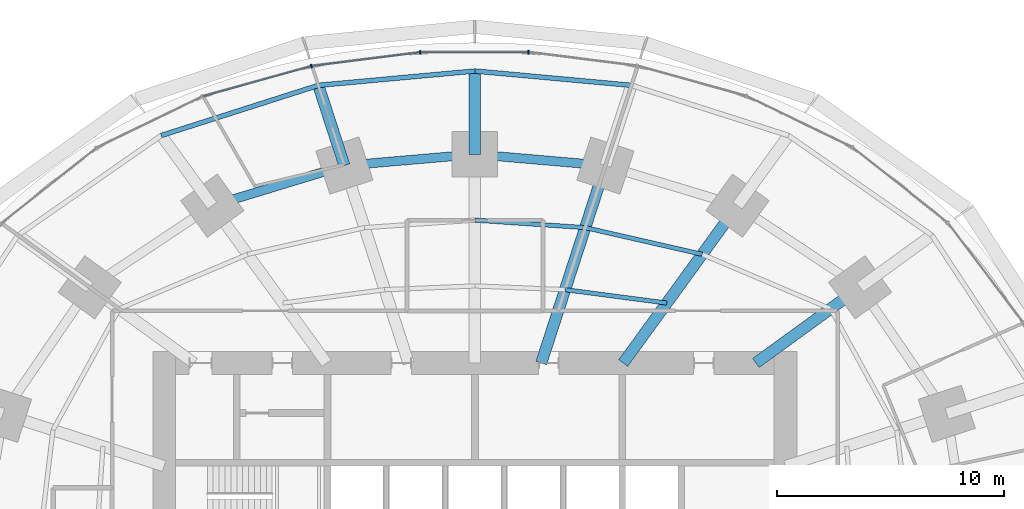
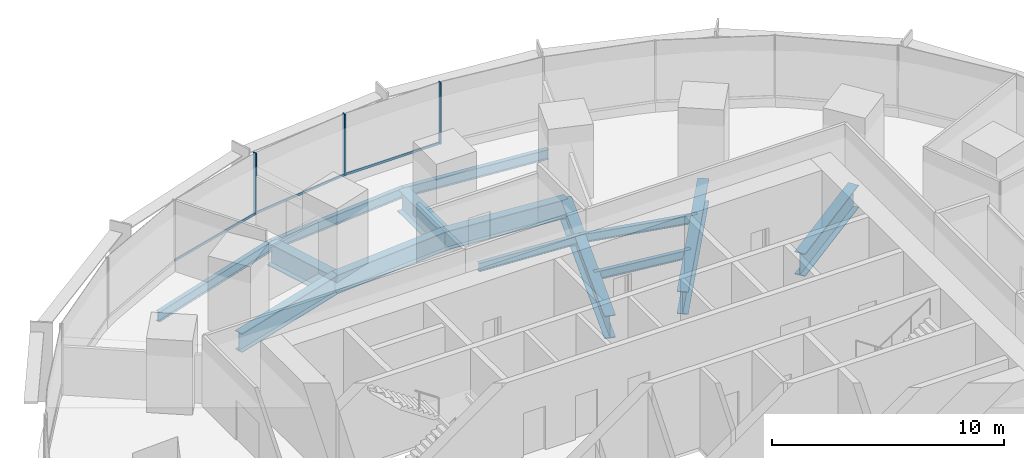
# One storey, part 8 of 15: 14 beams, 6 members, 1 element without a shape of its own.
"""IFC4 building model written with IfcOpenShell, lengths in metres."""

import ifcopenshell
import ifcopenshell.guid

model = None  # the IFC model being written
_history = None  # IfcOwnerHistory: only IFC2X3 demands one
_inside = {}  # id of a spatial element -> (the spatial element, [elements in it])
_under = {}  # id of a project, library or spatial element -> (it, [spatial elements below it])
_declared = {}  # id of a project -> (the project, [libraries it declares])
_typed = {}  # id of a type object -> (the type object, [elements of that type])
_made_of = {}  # id of a material, layer set ... -> (it, [elements and type objects made of it])


def new_model(schema):
    """Start an empty IFC model of exactly this schema.

    Asked for "IFC4X3", IfcOpenShell would pick the latest addendum, in which some entities
    have other attributes; the version numbers below select the first issue.
    IFC2X3 requires an IfcOwnerHistory on every rooted entity: one is made here for all.
    """
    global model, _history
    if schema == "IFC4X3":
        model = ifcopenshell.file(schema_version=(4, 3, 0, 0))
    else:
        model = ifcopenshell.file(schema=schema)
    _inside.clear()
    _under.clear()
    _declared.clear()
    _typed.clear()
    _made_of.clear()
    _history = None
    if model.schema == "IFC2X3":
        org = make("IfcOrganization", Name="unknown")
        user = make(
            "IfcPersonAndOrganization",
            ThePerson=make("IfcPerson", FamilyName="unknown"),
            TheOrganization=org,
        )
        app = make(
            "IfcApplication",
            ApplicationDeveloper=org,
            Version="unknown",
            ApplicationFullName="unknown",
            ApplicationIdentifier="unknown",
        )
        _history = make(
            "IfcOwnerHistory",
            OwningUser=user,
            OwningApplication=app,
            ChangeAction="ADDED",
            CreationDate=0,
        )
    return model


def make(cls, **values):
    """One entity of the class cls with the attributes given. An attribute that is None is left unset."""
    return model.create_entity(
        cls, **{name: value for name, value in values.items() if value is not None}
    )


def rooted(cls, **values):
    """An entity with a GlobalId (a new one), such as an element, a storey or a relation."""
    return make(cls, GlobalId=ifcopenshell.guid.new(), OwnerHistory=_history, **values)


def si_unit(unit_type, name, prefix=None):
    """IfcSIUnit, for example si_unit("LENGTHUNIT", "METRE", prefix="MILLI")."""
    return make("IfcSIUnit", UnitType=unit_type, Prefix=prefix, Name=name)


def assignment(units):
    """IfcUnitAssignment: the units of a project."""
    return None if units is None else make("IfcUnitAssignment", Units=units)


def point(xyz):
    """IfcCartesianPoint."""
    return None if xyz is None else make("IfcCartesianPoint", Coordinates=xyz)


def direction(xyz):
    """IfcDirection."""
    return None if xyz is None else make("IfcDirection", DirectionRatios=xyz)


def frame(location, z_axis=None, x_axis=None):
    """IfcAxis2Placement3D, a coordinate frame: its origin and axes. An axis left out is left unset."""
    return make(
        "IfcAxis2Placement3D",
        Location=point(location),
        Axis=direction(z_axis),
        RefDirection=direction(x_axis),
    )


def frame_2d(location, x_axis=None):
    """IfcAxis2Placement2D, a coordinate frame in the plane: its origin and x axis."""
    return make(
        "IfcAxis2Placement2D", Location=point(location), RefDirection=direction(x_axis)
    )


def origin():
    """The frame at (0, 0, 0) with its axes left unset."""
    return frame((0.0, 0.0, 0.0))


def origin_2d():
    """The frame at (0, 0) in the plane with its x axis left unset."""
    return frame_2d((0.0, 0.0))


def place(relative_to, where):
    """IfcLocalPlacement: puts the frame where relative to a parent placement (None: the world)."""
    return make(
        "IfcLocalPlacement", PlacementRelTo=relative_to, RelativePlacement=where
    )


def context(
    kind, dimensions, precision=None, world=None, true_north=None, identifier=None
):
    """IfcGeometricRepresentationContext, for example the 3D "Model" context."""
    return make(
        "IfcGeometricRepresentationContext",
        ContextIdentifier=identifier,
        ContextType=kind,
        CoordinateSpaceDimension=dimensions,
        Precision=precision,
        WorldCoordinateSystem=world,
        TrueNorth=true_north,
    )


def subcontext(parent, identifier, kind, view, scale=None):
    """IfcGeometricRepresentationSubContext, for example "Body" below "Model"."""
    return make(
        "IfcGeometricRepresentationSubContext",
        ContextIdentifier=identifier,
        ContextType=kind,
        ParentContext=parent,
        TargetScale=scale,
        TargetView=view,
    )


def project(units=None, contexts=None):
    """IfcProject with its units and contexts."""
    return rooted(
        "IfcProject",
        Name="project",
        RepresentationContexts=contexts,
        UnitsInContext=assignment(units),
    )


def spatial(cls, under=None, at=None, **own):
    """A site, building, storey or space (cls), placed at a placement, below another one or the project."""
    s = rooted(cls, ObjectPlacement=at, **own)
    if under is not None:
        _under.setdefault(under.id(), (under, []))[1].append(s)
    return s


def profile(cls, at=None, kind="AREA", **sizes):
    """A parametric profile (cls). Its sizes go by their IFC names, for example OverallWidth=200.0."""
    return make(cls, ProfileType=kind, Position=at, **sizes)


def rectangle(**sizes):
    """IfcRectangleProfileDef."""
    return profile("IfcRectangleProfileDef", **sizes)


def i_section(**sizes):
    """IfcIShapeProfileDef."""
    return profile("IfcIShapeProfileDef", **sizes)


def extrude(swept, where, along, depth):
    """IfcExtrudedAreaSolid: the profile swept, set in the frame where, extruded along a direction by depth."""
    return make(
        "IfcExtrudedAreaSolid",
        SweptArea=swept,
        Position=where,
        ExtrudedDirection=direction(along),
        Depth=depth,
    )


def shape(context_of_items, identifier, shape_type, items):
    """IfcShapeRepresentation: the items that make up one representation, for example the "Body"."""
    return make(
        "IfcShapeRepresentation",
        ContextOfItems=context_of_items,
        RepresentationIdentifier=identifier,
        RepresentationType=shape_type,
        Items=items,
    )


def material(Name=None, Category=None):
    """IfcMaterial."""
    return make("IfcMaterial", Name=Name, Category=Category)


def material_profile(
    of_material, cross_section, Name=None, Category=None, Priority=None
):
    """IfcMaterialProfile: a cross section and its material."""
    return make(
        "IfcMaterialProfile",
        Name=Name,
        Material=of_material,
        Profile=cross_section,
        Priority=Priority,
        Category=Category,
    )


def profile_set(profiles, Name=None, composite=None):
    """IfcMaterialProfileSet."""
    return make(
        "IfcMaterialProfileSet",
        Name=Name,
        MaterialProfiles=profiles,
        CompositeProfile=composite,
    )


def made_of(thing, what):
    """Note that an element or type object is made of a material, layer set ...; save() writes the relation."""
    if what is not None:
        _made_of.setdefault(what.id(), (what, []))[1].append(thing)
    return thing


def type_object(cls, material=None, **own):
    """A type object (cls), such as IfcWallType, which elements share."""
    return made_of(rooted(cls, **own), material)


def element(
    cls,
    number,
    at=None,
    inside=None,
    cuts=None,
    type_object=None,
    material=None,
    context=None,
    identifier="Body",
    shape_type=None,
    held_by="IfcProductDefinitionShape",
    body=None,
    shapes=None,
    **own,
):
    """One element of the class cls, such as IfcWall. Its Tag is "e" and its number.

    at: its placement. inside: the storey or other place that contains it. cuts: it is an
    opening in that element (IfcRelVoidsElement). A single representation is given by context,
    identifier, shape_type and body (its items); several are given by shapes. held_by: the class
    of the entity that holds the representations. save() writes the other relations.
    """
    e = rooted(cls, Tag="e%d" % number, ObjectPlacement=at, **own)
    if body is not None:
        shapes = [shape(context, identifier, shape_type, body)]
    if shapes is not None:
        e.Representation = make(held_by, Representations=shapes)
    if inside is not None:
        _inside.setdefault(inside.id(), (inside, []))[1].append(e)
    if cuts is not None:
        rooted(
            "IfcRelVoidsElement", RelatingBuildingElement=cuts, RelatedOpeningElement=e
        )
    if type_object is not None:
        _typed.setdefault(type_object.id(), (type_object, []))[1].append(e)
    return made_of(e, material)


def aggregate(whole, parts):
    """IfcRelAggregates: a whole, such as a stair, and the parts it consists of."""
    return rooted("IfcRelAggregates", RelatingObject=whole, RelatedObjects=parts)


def save(model, path):
    """Write the relations noted so far, then the file.

    IfcRelAggregates (storeys below a building ...), IfcRelContainedInSpatialStructure (elements
    in a storey), IfcRelDefinesByType, IfcRelAssociatesMaterial and IfcRelDeclares: one each for
    every whole, place, type object, material and project.
    """
    for whole, parts in _under.values():
        aggregate(whole, parts)
    for where, things in _inside.values():
        rooted(
            "IfcRelContainedInSpatialStructure",
            RelatedElements=things,
            RelatingStructure=where,
        )
    for kind, things in _typed.values():
        rooted("IfcRelDefinesByType", RelatedObjects=things, RelatingType=kind)
    for what, things in _made_of.values():
        rooted("IfcRelAssociatesMaterial", RelatedObjects=things, RelatingMaterial=what)
    for by, libraries in _declared.values():
        rooted("IfcRelDeclares", RelatingContext=by, RelatedDefinitions=libraries)
    model.write(path)


model = new_model("IFC4")

# Units and contexts
model_context = context("Model", 3, precision=1e-05, world=origin(), true_north=direction((0.0, 1.0)))
body_context = subcontext(model_context, "Body", "Model", "MODEL_VIEW")
ifc_project = project(units=[si_unit("LENGTHUNIT", "METRE"), si_unit("AREAUNIT", "SQUARE_METRE"), si_unit("VOLUMEUNIT", "CUBIC_METRE"), si_unit("PLANEANGLEUNIT", "RADIAN"), si_unit("MASSUNIT", "GRAM", prefix="KILO")], contexts=[model_context])

# Site, building, storey
site_placement = place(None, origin())
site = spatial("IfcSite", under=ifc_project, at=site_placement, CompositionType="ELEMENT")
building_placement = place(site_placement, origin())
building = spatial("IfcBuilding", under=site, at=building_placement, Name="Marramba Exchange Tower", CompositionType="ELEMENT")
storey_placement = place(building_placement, frame((0.0, 0.0, 74.199951171875)))
storey = spatial("IfcBuildingStorey", under=building, at=storey_placement, Name="L17", CompositionType="ELEMENT", Elevation=74.199951171875)

# Beams
ifc_material_1 = material(Name="Steel AS/NZS 3679.2 grade 300", Category="steel")
ifc_material_profile_1 = material_profile(ifc_material_1, i_section(OverallWidth=0.5, OverallDepth=1.199951171875, WebThickness=0.01611328125, FlangeThickness=0.0400390625, at=origin_2d()), Name="1200WB455")
ifc_profile_set_1 = profile_set([ifc_material_profile_1], Name="Steel AS/NZS 3679.2 grade 300")
beam_type_1 = type_object("IfcBeamType", Name="Cantilever girder 1200WB455", PredefinedType="BEAM", material=ifc_profile_set_1)
beam_1_placement = place(storey_placement, frame((0.0, 18.2041015625, -0.760009765625), z_axis=(0.0, 1.0, 0.0), x_axis=(-1.0, 0.0, 0.0)))
element("IfcBeam", 1, at=beam_1_placement, inside=storey, type_object=beam_type_1, Name="Cantilever girder L17 TC06", PredefinedType="BEAM", context=body_context, shape_type="SweptSolid", body=[
    extrude(i_section(OverallWidth=0.5, OverallDepth=1.199951171875, WebThickness=0.01611328125, FlangeThickness=0.0400390625, at=origin_2d()), origin(), (0.0, 0.0, 1.0), 3.673828125),
])
beam_2_placement = place(storey_placement, frame((-5.75390625, 17.70849609375, -0.760009765625), z_axis=(-0.308973290646, 0.951070715387, 0.0), x_axis=(-0.951070715387, -0.308973290646, 0.0)))
element("IfcBeam", 2, at=beam_2_placement, inside=storey, type_object=beam_type_1, Name="Cantilever girder L17 TC07", PredefinedType="BEAM", context=body_context, shape_type="SweptSolid", body=[
    extrude(i_section(OverallWidth=0.5, OverallDepth=1.199951171875, WebThickness=0.01611328125, FlangeThickness=0.0400390625, at=origin_2d()), origin(), (0.0, 0.0, 1.0), 3.72021484375),
])
ifc_material_2 = material(Name="Steel AS/NZS 3679.1 grade 300", Category="steel")
ifc_material_profile_2 = material_profile(ifc_material_2, i_section(OverallWidth=0.18994140625, OverallDepth=0.4541015625, WebThickness=0.008544921875, FlangeThickness=0.0126953125, FilletRadius=0.011474609375, at=origin_2d()), Name="460UB67.1")
ifc_profile_set_2 = profile_set([ifc_material_profile_2], Name="Steel AS/NZS 3679.1 grade 300")
beam_type_2 = type_object("IfcBeamType", Name="Floor joist 460UB67.1", PredefinedType="JOIST", material=ifc_profile_set_2)
beam_3_placement = place(storey_placement, frame((8.4619140625, 11.646728515625, -0.386962890625), z_axis=(-0.991480538255, 0.130254912618, 0.0), x_axis=(-0.130254912618, -0.991480538255, 0.0)))
element("IfcBeam", 3, at=beam_3_placement, inside=storey, type_object=beam_type_2, Name="Joist L17 bay 04 row 1", PredefinedType="JOIST", context=body_context, shape_type="SweptSolid", body=[
    extrude(i_section(OverallWidth=0.18994140625, OverallDepth=0.4541015625, WebThickness=0.008544921875, FlangeThickness=0.0126953125, FilletRadius=0.011474609375, at=origin_2d()), origin(), (0.0, 0.0, 1.0), 4.524658203125),
])
beam_4_placement = place(storey_placement, frame((10.021728515625, 13.793701171875, -0.386962890625), z_axis=(-0.974859652292, 0.222819788916, 0.0), x_axis=(-0.222819788916, -0.974859652292, 0.0)))
element("IfcBeam", 4, at=beam_4_placement, inside=storey, type_object=beam_type_2, Name="Joist L17 bay 04 row 2", PredefinedType="JOIST", context=body_context, shape_type="SweptSolid", body=[
    extrude(i_section(OverallWidth=0.18994140625, OverallDepth=0.4541015625, WebThickness=0.008544921875, FlangeThickness=0.0126953125, FilletRadius=0.011474609375, at=origin_2d()), origin(), (0.0, 0.0, 1.0), 5.2900390625),
])
beam_5_placement = place(storey_placement, frame((4.86474609375, 14.972412109375, -0.386962890625), z_axis=(-0.997702652202, 0.067745241816, 0.0), x_axis=(-0.067745241816, -0.997702652202, 0.0)))
element("IfcBeam", 5, at=beam_5_placement, inside=storey, type_object=beam_type_2, Name="Joist L17 bay 05 row 2", PredefinedType="JOIST", context=body_context, shape_type="SweptSolid", body=[
    extrude(i_section(OverallWidth=0.18994140625, OverallDepth=0.4541015625, WebThickness=0.008544921875, FlangeThickness=0.0126953125, FilletRadius=0.011474609375, at=origin_2d()), origin(), (0.0, 0.0, 1.0), 4.8759765625),
])
ifc_material_profile_3 = material_profile(ifc_material_1, i_section(OverallWidth=0.5, OverallDepth=1.199951171875, WebThickness=0.01611328125, FlangeThickness=0.0400390625, at=origin_2d()), Name="1200WB455")
ifc_profile_set_3 = profile_set([ifc_material_profile_3], Name="Steel AS/NZS 3679.2 grade 300")
beam_type_3 = type_object("IfcBeamType", Name="Radial girder 1200WB455", PredefinedType="BEAM", material=ifc_profile_set_3)
beam_6_placement = place(storey_placement, frame((12.387451171875, 9.0, -0.760009765625), z_axis=(0.809025746925, 0.587773205252, 0.0), x_axis=(-0.587773205252, 0.809025746925, 0.0)))
element("IfcBeam", 6, at=beam_6_placement, inside=storey, type_object=beam_type_3, Name="Radial girder L17 TC03", PredefinedType="BEAM", context=body_context, shape_type="SweptSolid", body=[
    extrude(i_section(OverallWidth=0.5, OverallDepth=1.199951171875, WebThickness=0.01611328125, FlangeThickness=0.0400390625, at=origin_2d()), origin(), (0.0, 0.0, 1.0), 5.683837890625),
])
beam_7_placement = place(storey_placement, frame((6.538818359375, 9.0, -0.760009765625), z_axis=(0.587782439969, 0.80901903764, 0.0), x_axis=(-0.80901903764, 0.587782439969, 0.0)))
element("IfcBeam", 7, at=beam_7_placement, inside=storey, type_object=beam_type_3, Name="Radial girder L17 TC04", PredefinedType="BEAM", context=body_context, shape_type="SweptSolid", body=[
    extrude(i_section(OverallWidth=0.5, OverallDepth=1.199951171875, WebThickness=0.01611328125, FlangeThickness=0.0400390625, at=origin_2d()), origin(), (0.0, 0.0, 1.0), 8.578857421875),
])
beam_8_placement = place(storey_placement, frame((2.92431640625, 9.0, -0.760009765625), z_axis=(0.309019754162, 0.951055619582, 0.0), x_axis=(-0.951055619582, 0.309019754162, 0.0)))
element("IfcBeam", 8, at=beam_8_placement, inside=storey, type_object=beam_type_3, Name="Radial girder L17 TC05", PredefinedType="BEAM", context=body_context, shape_type="SweptSolid", body=[
    extrude(i_section(OverallWidth=0.5, OverallDepth=1.199951171875, WebThickness=0.01611328125, FlangeThickness=0.0400390625, at=origin_2d()), origin(), (0.0, 0.0, 1.0), 9.15673828125),
])
ifc_material_profile_4 = material_profile(ifc_material_1, i_section(OverallWidth=0.39990234375, OverallDepth=1.0, WebThickness=0.01611328125, FlangeThickness=0.031982421875, at=origin_2d()), Name="1000WB322")
ifc_profile_set_4 = profile_set([ifc_material_profile_4], Name="Steel AS/NZS 3679.2 grade 300")
beam_type_4 = type_object("IfcBeamType", Name="Ring beam 1000WB322", PredefinedType="SPANDREL", material=ifc_profile_set_4)
for number, where, z_axis, x_axis, name in (
    (9, (5.75390625, 17.70849609375, -0.659912109375), (-0.996311003275, 0.085815993578, 0.0), (-0.085815993578, -0.996311003275, 0.0), "Ring beam L17 TC05-TC06"),
    (10, (0.0, 18.2041015625, -0.659912109375), (-0.996311003275, -0.085815993578, 0.0), (0.085815993578, -0.996311003275, 0.0), "Ring beam L17 TC06-TC07"),
):
    element("IfcBeam", number, at=place(storey_placement, frame(where, z_axis=z_axis, x_axis=x_axis)), inside=storey, type_object=beam_type_4, Name=name, PredefinedType="SPANDREL", context=body_context, shape_type="SweptSolid", body=[
        extrude(i_section(OverallWidth=0.39990234375, OverallDepth=1.0, WebThickness=0.01611328125, FlangeThickness=0.031982421875, at=origin_2d()), origin(), (0.0, 0.0, 1.0), 5.775146484375),
    ])
beam_9_placement = place(storey_placement, frame((-5.75390625, 17.70849609375, -0.659912109375), z_axis=(-0.956924542524, -0.290336735387, 0.0), x_axis=(0.290336735387, -0.956924542524, 0.0)))
element("IfcBeam", 11, at=beam_9_placement, inside=storey, type_object=beam_type_4, Name="Ring beam L17 TC07-TC08", PredefinedType="SPANDREL", context=body_context, shape_type="SweptSolid", body=[
    extrude(i_section(OverallWidth=0.39990234375, OverallDepth=1.0, WebThickness=0.01611328125, FlangeThickness=0.031982421875, at=origin_2d()), origin(), (0.0, 0.0, 1.0), 6.089599609375),
])
ifc_material_profile_5 = material_profile(ifc_material_2, i_section(OverallWidth=0.208984375, OverallDepth=0.528076171875, WebThickness=0.009521484375, FlangeThickness=0.01318359375, FilletRadius=0.013916015625, at=origin_2d()), Name="530UB82.0")
ifc_profile_set_5 = profile_set([ifc_material_profile_5], Name="Steel AS/NZS 3679.1 grade 300")
beam_type_5 = type_object("IfcBeamType", Name="Slab edge beam 530UB82.0", PredefinedType="SPANDREL", material=ifc_profile_set_5)
for number, where, z_axis, x_axis, name in (
    (12, (6.9033203125, 21.24658203125, -0.424072265625), (-0.995843984921, 0.091075560369, 0.0), (-0.091075560369, -0.995843984921, 0.0), "Slab edge beam L17 TC05-TC06"),
    (13, (0.0, 21.8779296875, -0.424072265625), (-0.995843984921, -0.091075560369, 0.0), (0.091075560369, -0.995843984921, 0.0), "Slab edge beam L17 TC06-TC07"),
):
    element("IfcBeam", number, at=place(storey_placement, frame(where, z_axis=z_axis, x_axis=x_axis)), inside=storey, type_object=beam_type_5, Name=name, PredefinedType="SPANDREL", context=body_context, shape_type="SweptSolid", body=[
        extrude(i_section(OverallWidth=0.208984375, OverallDepth=0.528076171875, WebThickness=0.009521484375, FlangeThickness=0.01318359375, FilletRadius=0.013916015625, at=origin_2d()), origin(), (0.0, 0.0, 1.0), 6.93212890625),
    ])
beam_10_placement = place(storey_placement, frame((-6.9033203125, 21.24658203125, -0.424072265625), z_axis=(-0.952577642997, -0.304295635957, 0.0), x_axis=(0.304295635957, -0.952577642997, 0.0)))
element("IfcBeam", 14, at=beam_10_placement, inside=storey, type_object=beam_type_5, Name="Slab edge beam L17 TC07-TC08", PredefinedType="SPANDREL", context=body_context, shape_type="SweptSolid", body=[
    extrude(i_section(OverallWidth=0.208984375, OverallDepth=0.528076171875, WebThickness=0.009521484375, FlangeThickness=0.01318359375, FilletRadius=0.013916015625, at=origin_2d()), origin(), (0.0, 0.0, 1.0), 7.2705078125),
])

# Curtain wall, members
ifc_material_3 = material(Name="Aluminium framing, bronze anodised", Category="aluminium")
curtain_wall_type = type_object("IfcCurtainWallType", Name="Trading floor ribbon curtain wall", PredefinedType="USERDEFINED", material=ifc_material_3)
curtain_wall_placement = place(storey_placement, origin())
curtain_wall = element("IfcCurtainWall", 15, at=curtain_wall_placement, inside=storey, type_object=curtain_wall_type, Name="Curtain wall CW3 L17 F06-F10", ObjectType="RIBBON CURTAIN WALL", PredefinedType="USERDEFINED")
ifc_material_4 = material(Name="Aluminium mullion, bronze anodised", Category="aluminium")
ifc_material_profile_6 = material_profile(ifc_material_4, rectangle(XDim=0.159912109375, YDim=0.06005859375, at=origin_2d()), Name="CW3 mullion 60x160")
ifc_profile_set_6 = profile_set([ifc_material_profile_6], Name="Aluminium mullion, bronze anodised")
member_type_1 = type_object("IfcMemberType", Name="Trading floor ribbon curtain wall mullion", PredefinedType="MULLION", material=ifc_profile_set_6)
member_1_placement = place(storey_placement, frame((2.3564453125, 22.7060546875, 0.800048828125), z_axis=(0.0, 0.0, 1.0), x_axis=(0.0, -1.0, 0.0)))
member_1 = element("IfcMember", 16, at=member_1_placement, type_object=member_type_1, Name="CW3 mullion 1", PredefinedType="MULLION", context=body_context, shape_type="SweptSolid", body=[
    extrude(rectangle(XDim=0.159912109375, YDim=0.06005859375, at=origin_2d()), origin(), (0.0, 0.0, 1.0), 3.239990234375),
])
member_2_placement = place(storey_placement, frame((-2.416259765625, 22.7021484375, 0.800048828125), z_axis=(0.0, 0.0, 1.0), x_axis=(0.124872723099, -0.992172768738, 0.0)))
member_2 = element("IfcMember", 17, at=member_2_placement, type_object=member_type_1, Name="CW3 mullion 1", PredefinedType="MULLION", context=body_context, shape_type="SweptSolid", body=[
    extrude(rectangle(XDim=0.159912109375, YDim=0.06005859375, at=origin_2d()), origin(), (0.0, 0.0, 1.0), 3.239990234375),
])
member_3_placement = place(storey_placement, frame((-7.21044921875, 22.094482421875, 0.800048828125), z_axis=(0.0, 0.0, 1.0), x_axis=(0.267808735815, -0.963472096649, 0.0)))
member_3 = element("IfcMember", 18, at=member_3_placement, type_object=member_type_1, Name="CW3 mullion 1", PredefinedType="MULLION", context=body_context, shape_type="SweptSolid", body=[
    extrude(rectangle(XDim=0.159912109375, YDim=0.06005859375, at=origin_2d()), origin(), (0.0, 0.0, 1.0), 3.239990234375),
])
ifc_material_5 = material(Name="Aluminium transom, bronze anodised", Category="aluminium")
ifc_material_profile_7 = material_profile(ifc_material_5, rectangle(XDim=0.06005859375, YDim=0.1201171875, at=origin_2d()), Name="CW3 transom 60x120")
ifc_profile_set_7 = profile_set([ifc_material_profile_7], Name="Aluminium transom, bronze anodised")
member_type_2 = type_object("IfcMemberType", Name="Trading floor ribbon curtain wall transom", PredefinedType="USERDEFINED", material=ifc_profile_set_7)
member_4_placement = place(storey_placement, frame((2.326416015625, 22.7060546875, 0.830078125), z_axis=(-1.0, 0.0, 0.0), x_axis=(0.0, -1.0, 0.0)))
member_4 = element("IfcMember", 19, at=member_4_placement, type_object=member_type_2, Name="CW3 sill transom", ObjectType="TRANSOM", PredefinedType="USERDEFINED", context=body_context, shape_type="SweptSolid", body=[
    extrude(rectangle(XDim=0.06005859375, YDim=0.1201171875, at=origin_2d()), origin(), (0.0, 0.0, 1.0), 4.712890625),
])
member_5_placement = place(storey_placement, frame((-2.446044921875, 22.698486328125, 0.830078125), z_axis=(-0.992174445211, -0.124859402009, 0.0), x_axis=(0.124859402009, -0.992174445211, 0.0)))
member_5 = element("IfcMember", 20, at=member_5_placement, type_object=member_type_2, Name="CW3 sill transom", ObjectType="TRANSOM", PredefinedType="USERDEFINED", context=body_context, shape_type="SweptSolid", body=[
    extrude(rectangle(XDim=0.06005859375, YDim=0.1201171875, at=origin_2d()), origin(), (0.0, 0.0, 1.0), 4.77294921875),
])
member_6_placement = place(storey_placement, frame((-7.2392578125, 22.08642578125, 0.830078125), z_axis=(-0.963472490071, -0.267807320431, 0.0), x_axis=(0.267807320431, -0.963472490071, 0.0)))
member_6 = element("IfcMember", 21, at=member_6_placement, type_object=member_type_2, Name="CW3 sill transom", ObjectType="TRANSOM", PredefinedType="USERDEFINED", context=body_context, shape_type="SweptSolid", body=[
    extrude(rectangle(XDim=0.06005859375, YDim=0.1201171875, at=origin_2d()), origin(), (0.0, 0.0, 1.0), 4.93017578125),
])
aggregate(curtain_wall, [member_1, member_4, member_2, member_5, member_3, member_6])

save(model, "model.ifc")
